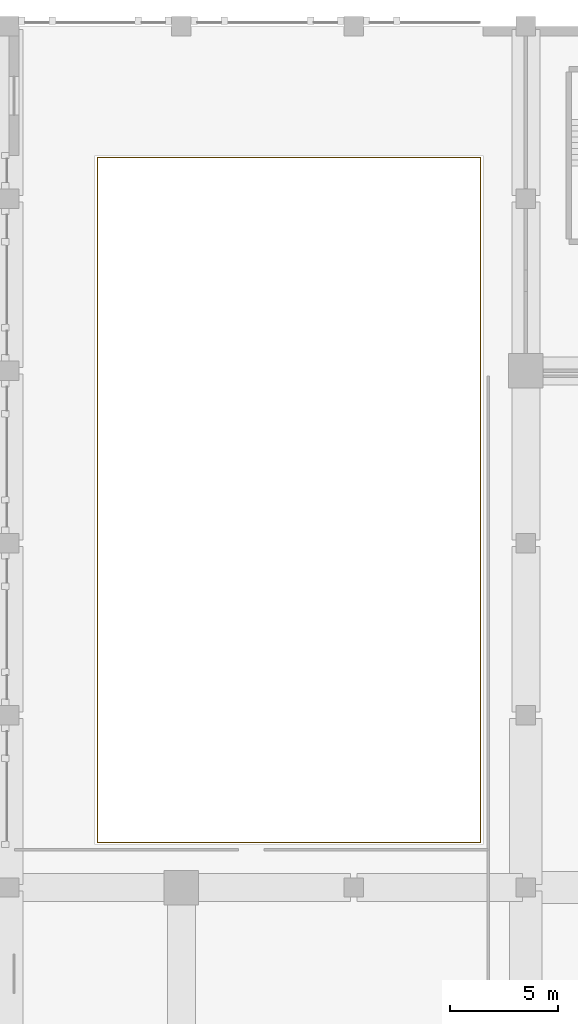
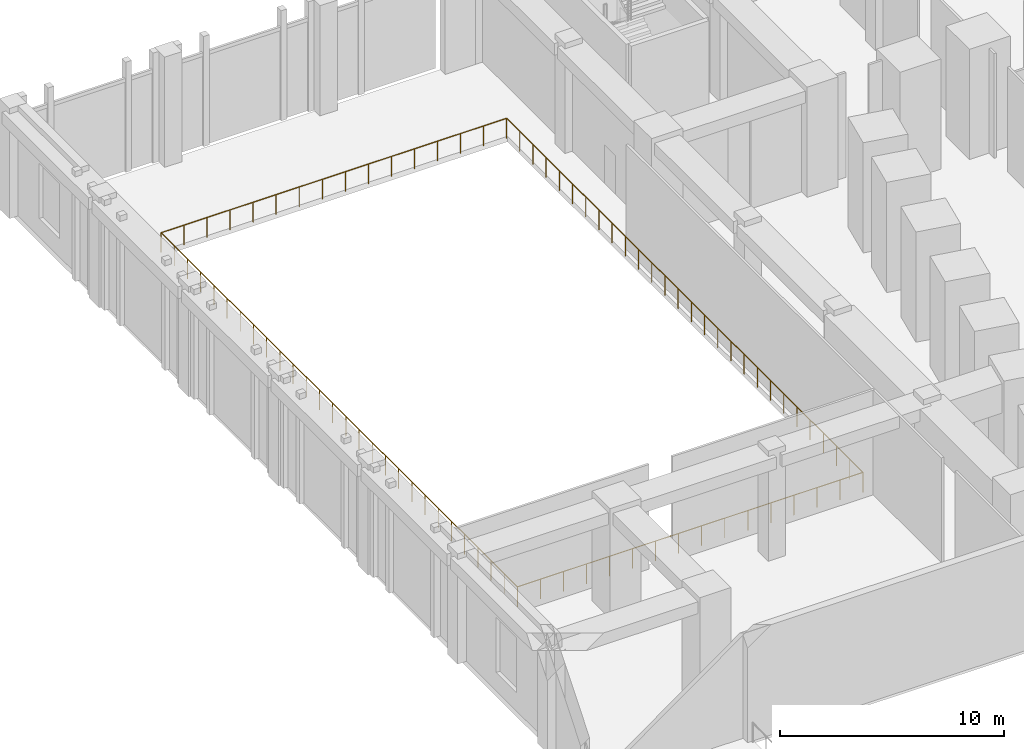
# One storey, part 22 of 25: 1 railing.
"""IFC4 building model written with IfcOpenShell, lengths in metres."""

from ifc_helpers import new_model, si_unit, direction, frame, origin, origin_2d, place, context, subcontext, project, spatial, circle, extrude, material, type_object, element, save


model = new_model("IFC4")

# Units and contexts
model_context = context("Model", 3, precision=1e-05, world=origin(), true_north=direction((0.0, 1.0)))
body_context = subcontext(model_context, "Body", "Model", "MODEL_VIEW")
ifc_project = project(units=[si_unit("LENGTHUNIT", "METRE"), si_unit("AREAUNIT", "SQUARE_METRE"), si_unit("VOLUMEUNIT", "CUBIC_METRE"), si_unit("PLANEANGLEUNIT", "RADIAN"), si_unit("MASSUNIT", "GRAM", prefix="KILO")], contexts=[model_context])

# Site, building, storey
site_placement = place(None, origin())
site = spatial("IfcSite", under=ifc_project, at=site_placement, CompositionType="ELEMENT")
building_placement = place(site_placement, origin())
building = spatial("IfcBuilding", under=site, at=building_placement, Name="Isbrekke Arena Tower", CompositionType="ELEMENT")
storey_placement = place(building_placement, frame((0.0, 0.0, 6.0)))
storey = spatial("IfcBuildingStorey", under=building, at=storey_placement, Name="L01", CompositionType="ELEMENT", Elevation=6.0)

# Railing
ifc_material = material(Name="Laminated glass balustrade, steel handrail", Category="steel")
railing_type = type_object("IfcRailingType", Name="GR1 GUARD 1100 GLASS BALUSTRADE", PredefinedType="BALUSTRADE", material=ifc_material)
railing_placement = place(storey_placement, frame((-51.89990234375, 8.10009765625, 0.0)))
element("IfcRailing", 1, at=railing_placement, inside=storey, type_object=railing_type, Name="GR1 atrium guard L01", PredefinedType="BALUSTRADE", context=body_context, shape_type="SweptSolid", body=[
    extrude(circle(Radius=0.02392578125, at=origin_2d()), frame((0.0, 0.0, 1.076171875), z_axis=(1.0, 0.0, 0.0), x_axis=(0.0, 1.0, 0.0)), (0.0, 0.0, 1.0), 17.7998046875),
    extrude(circle(Radius=0.02392578125, at=origin_2d()), frame((17.7998046875, 0.0, 1.076171875), z_axis=(0.0, 1.0, 0.0), x_axis=(-1.0, 0.0, 0.0)), (0.0, 0.0, 1.0), 31.7998046875),
    extrude(circle(Radius=0.02392578125, at=origin_2d()), frame((17.7998046875, 31.7998046875, 1.076171875), z_axis=(-1.0, 0.0, 0.0), x_axis=(0.0, -1.0, 0.0)), (0.0, 0.0, 1.0), 17.7998046875),
    extrude(circle(Radius=0.02392578125, at=origin_2d()), frame((0.0, 31.7998046875, 1.076171875), z_axis=(0.0, -1.0, 0.0), x_axis=(1.0, 0.0, 0.0)), (0.0, 0.0, 1.0), 31.7998046875),
    extrude(circle(Radius=0.02099609375, at=origin_2d()), origin(), (0.0, 0.0, 1.0), 1.052001953125),
    extrude(circle(Radius=0.02099609375, at=origin_2d()), frame((1.186767578125, 0.0, 0.0)), (0.0, 0.0, 1.0), 1.052001953125),
    extrude(circle(Radius=0.02099609375, at=origin_2d()), frame((2.373291015625, 0.0, 0.0)), (0.0, 0.0, 1.0), 1.052001953125),
    extrude(circle(Radius=0.02099609375, at=origin_2d()), frame((3.56005859375, 0.0, 0.0)), (0.0, 0.0, 1.0), 1.052001953125),
    extrude(circle(Radius=0.02099609375, at=origin_2d()), frame((4.74658203125, 0.0, 0.0)), (0.0, 0.0, 1.0), 1.052001953125),
    extrude(circle(Radius=0.02099609375, at=origin_2d()), frame((5.933349609375, 0.0, 0.0)), (0.0, 0.0, 1.0), 1.052001953125),
    extrude(circle(Radius=0.02099609375, at=origin_2d()), frame((7.119873046875, 0.0, 0.0)), (0.0, 0.0, 1.0), 1.052001953125),
    extrude(circle(Radius=0.02099609375, at=origin_2d()), frame((8.306640625, 0.0, 0.0)), (0.0, 0.0, 1.0), 1.052001953125),
    extrude(circle(Radius=0.02099609375, at=origin_2d()), frame((9.4931640625, 0.0, 0.0)), (0.0, 0.0, 1.0), 1.052001953125),
    extrude(circle(Radius=0.02099609375, at=origin_2d()), frame((10.679931640625, 0.0, 0.0)), (0.0, 0.0, 1.0), 1.052001953125),
    extrude(circle(Radius=0.02099609375, at=origin_2d()), frame((11.866455078125, 0.0, 0.0)), (0.0, 0.0, 1.0), 1.052001953125),
    extrude(circle(Radius=0.02099609375, at=origin_2d()), frame((13.05322265625, 0.0, 0.0)), (0.0, 0.0, 1.0), 1.052001953125),
    extrude(circle(Radius=0.02099609375, at=origin_2d()), frame((14.23974609375, 0.0, 0.0)), (0.0, 0.0, 1.0), 1.052001953125),
    extrude(circle(Radius=0.02099609375, at=origin_2d()), frame((15.426513671875, 0.0, 0.0)), (0.0, 0.0, 1.0), 1.052001953125),
    extrude(circle(Radius=0.02099609375, at=origin_2d()), frame((16.613037109375, 0.0, 0.0)), (0.0, 0.0, 1.0), 1.052001953125),
    extrude(circle(Radius=0.02099609375, at=origin_2d()), frame((17.7998046875, 0.0, 0.0)), (0.0, 0.0, 1.0), 1.052001953125),
    extrude(circle(Radius=0.02099609375, at=origin_2d()), frame((17.7998046875, 1.177734375, 0.0)), (0.0, 0.0, 1.0), 1.052001953125),
    extrude(circle(Radius=0.02099609375, at=origin_2d()), frame((17.7998046875, 2.35546875, 0.0)), (0.0, 0.0, 1.0), 1.052001953125),
    extrude(circle(Radius=0.02099609375, at=origin_2d()), frame((17.7998046875, 3.533203125, 0.0)), (0.0, 0.0, 1.0), 1.052001953125),
    extrude(circle(Radius=0.02099609375, at=origin_2d()), frame((17.7998046875, 4.711181640625, 0.0)), (0.0, 0.0, 1.0), 1.052001953125),
    extrude(circle(Radius=0.02099609375, at=origin_2d()), frame((17.7998046875, 5.888916015625, 0.0)), (0.0, 0.0, 1.0), 1.052001953125),
    extrude(circle(Radius=0.02099609375, at=origin_2d()), frame((17.7998046875, 7.066650390625, 0.0)), (0.0, 0.0, 1.0), 1.052001953125),
    extrude(circle(Radius=0.02099609375, at=origin_2d()), frame((17.7998046875, 8.244384765625, 0.0)), (0.0, 0.0, 1.0), 1.052001953125),
    extrude(circle(Radius=0.02099609375, at=origin_2d()), frame((17.7998046875, 9.422119140625, 0.0)), (0.0, 0.0, 1.0), 1.052001953125),
    extrude(circle(Radius=0.02099609375, at=origin_2d()), frame((17.7998046875, 10.599853515625, 0.0)), (0.0, 0.0, 1.0), 1.052001953125),
    extrude(circle(Radius=0.02099609375, at=origin_2d()), frame((17.7998046875, 11.777587890625, 0.0)), (0.0, 0.0, 1.0), 1.052001953125),
    extrude(circle(Radius=0.02099609375, at=origin_2d()), frame((17.7998046875, 12.95556640625, 0.0)), (0.0, 0.0, 1.0), 1.052001953125),
    extrude(circle(Radius=0.02099609375, at=origin_2d()), frame((17.7998046875, 14.13330078125, 0.0)), (0.0, 0.0, 1.0), 1.052001953125),
    extrude(circle(Radius=0.02099609375, at=origin_2d()), frame((17.7998046875, 15.31103515625, 0.0)), (0.0, 0.0, 1.0), 1.052001953125),
    extrude(circle(Radius=0.02099609375, at=origin_2d()), frame((17.7998046875, 16.48876953125, 0.0)), (0.0, 0.0, 1.0), 1.052001953125),
    extrude(circle(Radius=0.02099609375, at=origin_2d()), frame((17.7998046875, 17.66650390625, 0.0)), (0.0, 0.0, 1.0), 1.052001953125),
    extrude(circle(Radius=0.02099609375, at=origin_2d()), frame((17.7998046875, 18.84423828125, 0.0)), (0.0, 0.0, 1.0), 1.052001953125),
    extrude(circle(Radius=0.02099609375, at=origin_2d()), frame((17.7998046875, 20.022216796875, 0.0)), (0.0, 0.0, 1.0), 1.052001953125),
    extrude(circle(Radius=0.02099609375, at=origin_2d()), frame((17.7998046875, 21.199951171875, 0.0)), (0.0, 0.0, 1.0), 1.052001953125),
    extrude(circle(Radius=0.02099609375, at=origin_2d()), frame((17.7998046875, 22.377685546875, 0.0)), (0.0, 0.0, 1.0), 1.052001953125),
    extrude(circle(Radius=0.02099609375, at=origin_2d()), frame((17.7998046875, 23.555419921875, 0.0)), (0.0, 0.0, 1.0), 1.052001953125),
    extrude(circle(Radius=0.02099609375, at=origin_2d()), frame((17.7998046875, 24.733154296875, 0.0)), (0.0, 0.0, 1.0), 1.052001953125),
    extrude(circle(Radius=0.02099609375, at=origin_2d()), frame((17.7998046875, 25.910888671875, 0.0)), (0.0, 0.0, 1.0), 1.052001953125),
    extrude(circle(Radius=0.02099609375, at=origin_2d()), frame((17.7998046875, 27.088623046875, 0.0)), (0.0, 0.0, 1.0), 1.052001953125),
    extrude(circle(Radius=0.02099609375, at=origin_2d()), frame((17.7998046875, 28.2666015625, 0.0)), (0.0, 0.0, 1.0), 1.052001953125),
    extrude(circle(Radius=0.02099609375, at=origin_2d()), frame((17.7998046875, 29.4443359375, 0.0)), (0.0, 0.0, 1.0), 1.052001953125),
    extrude(circle(Radius=0.02099609375, at=origin_2d()), frame((17.7998046875, 30.6220703125, 0.0)), (0.0, 0.0, 1.0), 1.052001953125),
    extrude(circle(Radius=0.02099609375, at=origin_2d()), frame((17.7998046875, 31.7998046875, 0.0)), (0.0, 0.0, 1.0), 1.052001953125),
    extrude(circle(Radius=0.02099609375, at=origin_2d()), frame((16.613037109375, 31.7998046875, 0.0)), (0.0, 0.0, 1.0), 1.052001953125),
    extrude(circle(Radius=0.02099609375, at=origin_2d()), frame((15.426513671875, 31.7998046875, 0.0)), (0.0, 0.0, 1.0), 1.052001953125),
    extrude(circle(Radius=0.02099609375, at=origin_2d()), frame((14.23974609375, 31.7998046875, 0.0)), (0.0, 0.0, 1.0), 1.052001953125),
    extrude(circle(Radius=0.02099609375, at=origin_2d()), frame((13.05322265625, 31.7998046875, 0.0)), (0.0, 0.0, 1.0), 1.052001953125),
    extrude(circle(Radius=0.02099609375, at=origin_2d()), frame((11.866455078125, 31.7998046875, 0.0)), (0.0, 0.0, 1.0), 1.052001953125),
    extrude(circle(Radius=0.02099609375, at=origin_2d()), frame((10.679931640625, 31.7998046875, 0.0)), (0.0, 0.0, 1.0), 1.052001953125),
    extrude(circle(Radius=0.02099609375, at=origin_2d()), frame((9.4931640625, 31.7998046875, 0.0)), (0.0, 0.0, 1.0), 1.052001953125),
    extrude(circle(Radius=0.02099609375, at=origin_2d()), frame((8.306640625, 31.7998046875, 0.0)), (0.0, 0.0, 1.0), 1.052001953125),
    extrude(circle(Radius=0.02099609375, at=origin_2d()), frame((7.119873046875, 31.7998046875, 0.0)), (0.0, 0.0, 1.0), 1.052001953125),
    extrude(circle(Radius=0.02099609375, at=origin_2d()), frame((5.933349609375, 31.7998046875, 0.0)), (0.0, 0.0, 1.0), 1.052001953125),
    extrude(circle(Radius=0.02099609375, at=origin_2d()), frame((4.74658203125, 31.7998046875, 0.0)), (0.0, 0.0, 1.0), 1.052001953125),
    extrude(circle(Radius=0.02099609375, at=origin_2d()), frame((3.56005859375, 31.7998046875, 0.0)), (0.0, 0.0, 1.0), 1.052001953125),
    extrude(circle(Radius=0.02099609375, at=origin_2d()), frame((2.373291015625, 31.7998046875, 0.0)), (0.0, 0.0, 1.0), 1.052001953125),
    extrude(circle(Radius=0.02099609375, at=origin_2d()), frame((1.186767578125, 31.7998046875, 0.0)), (0.0, 0.0, 1.0), 1.052001953125),
    extrude(circle(Radius=0.02099609375, at=origin_2d()), frame((0.0, 31.7998046875, 0.0)), (0.0, 0.0, 1.0), 1.052001953125),
    extrude(circle(Radius=0.02099609375, at=origin_2d()), frame((0.0, 30.6220703125, 0.0)), (0.0, 0.0, 1.0), 1.052001953125),
    extrude(circle(Radius=0.02099609375, at=origin_2d()), frame((0.0, 29.4443359375, 0.0)), (0.0, 0.0, 1.0), 1.052001953125),
    extrude(circle(Radius=0.02099609375, at=origin_2d()), frame((0.0, 28.2666015625, 0.0)), (0.0, 0.0, 1.0), 1.052001953125),
    extrude(circle(Radius=0.02099609375, at=origin_2d()), frame((0.0, 27.088623046875, 0.0)), (0.0, 0.0, 1.0), 1.052001953125),
    extrude(circle(Radius=0.02099609375, at=origin_2d()), frame((0.0, 25.910888671875, 0.0)), (0.0, 0.0, 1.0), 1.052001953125),
    extrude(circle(Radius=0.02099609375, at=origin_2d()), frame((0.0, 24.733154296875, 0.0)), (0.0, 0.0, 1.0), 1.052001953125),
    extrude(circle(Radius=0.02099609375, at=origin_2d()), frame((0.0, 23.555419921875, 0.0)), (0.0, 0.0, 1.0), 1.052001953125),
    extrude(circle(Radius=0.02099609375, at=origin_2d()), frame((0.0, 22.377685546875, 0.0)), (0.0, 0.0, 1.0), 1.052001953125),
    extrude(circle(Radius=0.02099609375, at=origin_2d()), frame((0.0, 21.199951171875, 0.0)), (0.0, 0.0, 1.0), 1.052001953125),
    extrude(circle(Radius=0.02099609375, at=origin_2d()), frame((0.0, 20.022216796875, 0.0)), (0.0, 0.0, 1.0), 1.052001953125),
    extrude(circle(Radius=0.02099609375, at=origin_2d()), frame((0.0, 18.84423828125, 0.0)), (0.0, 0.0, 1.0), 1.052001953125),
    extrude(circle(Radius=0.02099609375, at=origin_2d()), frame((0.0, 17.66650390625, 0.0)), (0.0, 0.0, 1.0), 1.052001953125),
    extrude(circle(Radius=0.02099609375, at=origin_2d()), frame((0.0, 16.48876953125, 0.0)), (0.0, 0.0, 1.0), 1.052001953125),
    extrude(circle(Radius=0.02099609375, at=origin_2d()), frame((0.0, 15.31103515625, 0.0)), (0.0, 0.0, 1.0), 1.052001953125),
    extrude(circle(Radius=0.02099609375, at=origin_2d()), frame((0.0, 14.13330078125, 0.0)), (0.0, 0.0, 1.0), 1.052001953125),
    extrude(circle(Radius=0.02099609375, at=origin_2d()), frame((0.0, 12.95556640625, 0.0)), (0.0, 0.0, 1.0), 1.052001953125),
    extrude(circle(Radius=0.02099609375, at=origin_2d()), frame((0.0, 11.777587890625, 0.0)), (0.0, 0.0, 1.0), 1.052001953125),
    extrude(circle(Radius=0.02099609375, at=origin_2d()), frame((0.0, 10.599853515625, 0.0)), (0.0, 0.0, 1.0), 1.052001953125),
    extrude(circle(Radius=0.02099609375, at=origin_2d()), frame((0.0, 9.422119140625, 0.0)), (0.0, 0.0, 1.0), 1.052001953125),
    extrude(circle(Radius=0.02099609375, at=origin_2d()), frame((0.0, 8.244384765625, 0.0)), (0.0, 0.0, 1.0), 1.052001953125),
    extrude(circle(Radius=0.02099609375, at=origin_2d()), frame((0.0, 7.066650390625, 0.0)), (0.0, 0.0, 1.0), 1.052001953125),
    extrude(circle(Radius=0.02099609375, at=origin_2d()), frame((0.0, 5.888916015625, 0.0)), (0.0, 0.0, 1.0), 1.052001953125),
    extrude(circle(Radius=0.02099609375, at=origin_2d()), frame((0.0, 4.711181640625, 0.0)), (0.0, 0.0, 1.0), 1.052001953125),
    extrude(circle(Radius=0.02099609375, at=origin_2d()), frame((0.0, 3.533203125, 0.0)), (0.0, 0.0, 1.0), 1.052001953125),
    extrude(circle(Radius=0.02099609375, at=origin_2d()), frame((0.0, 2.35546875, 0.0)), (0.0, 0.0, 1.0), 1.052001953125),
    extrude(circle(Radius=0.02099609375, at=origin_2d()), frame((0.0, 1.177734375, 0.0)), (0.0, 0.0, 1.0), 1.052001953125),
])

save(model, "model.ifc")
